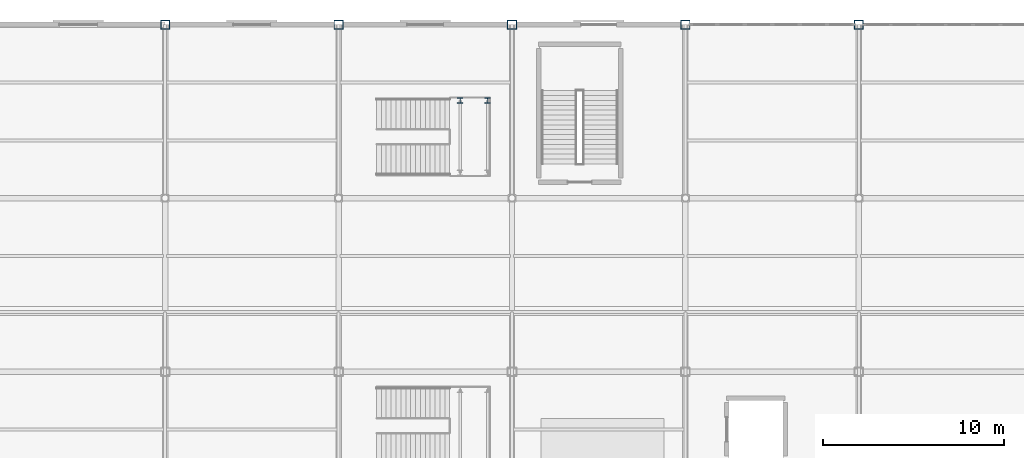
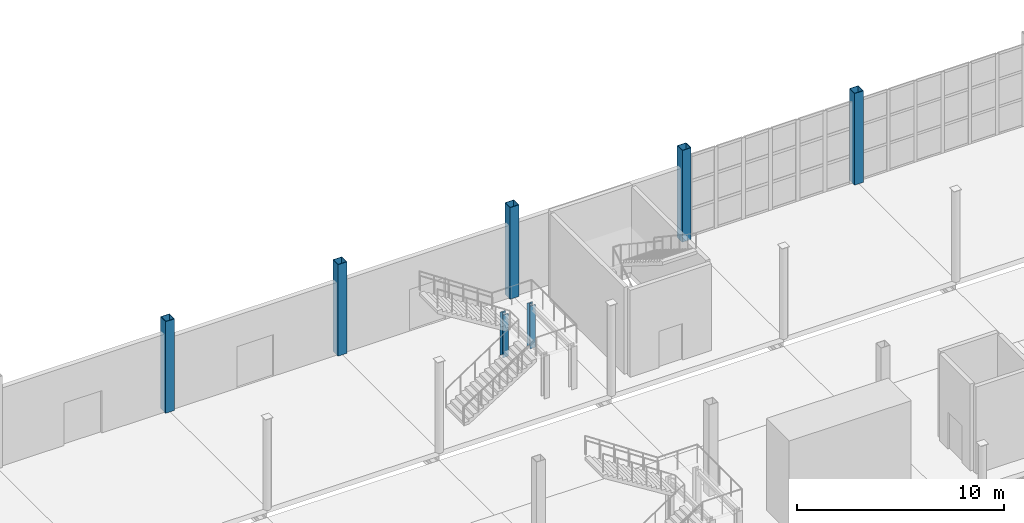
# One storey, part 23 of 85: 7 columns.
"""IFC4 building model written with IfcOpenShell, lengths in metres."""

from ifc_helpers import new_model, si_unit, direction, frame, origin, origin_2d, place, context, subcontext, project, spatial, hollow_rectangle, i_section, extrude, material, material_profile, profile_set, type_object, element, save


model = new_model("IFC4")

# Units and contexts
model_context = context("Model", 3, precision=1e-05, world=origin(), true_north=direction((0.0, 1.0)))
body_context = subcontext(model_context, "Body", "Model", "MODEL_VIEW")
ifc_project = project(units=[si_unit("LENGTHUNIT", "METRE"), si_unit("AREAUNIT", "SQUARE_METRE"), si_unit("VOLUMEUNIT", "CUBIC_METRE"), si_unit("PLANEANGLEUNIT", "RADIAN"), si_unit("MASSUNIT", "GRAM", prefix="KILO")], contexts=[model_context])

# Site, building, storey
site_placement = place(None, origin())
site = spatial("IfcSite", under=ifc_project, at=site_placement, CompositionType="ELEMENT")
building_placement = place(site_placement, origin())
building = spatial("IfcBuilding", under=site, at=building_placement, Name="Zarnetskaya Central Station", CompositionType="ELEMENT")
storey_placement = place(building_placement, origin())
storey = spatial("IfcBuildingStorey", under=building, at=storey_placement, Name="L00", CompositionType="ELEMENT", Elevation=0.0)

# Columns
ifc_material = material(Name="Steel S355", Category="steel")
ifc_material_profile_1 = material_profile(ifc_material, hollow_rectangle(XDim=0.5, YDim=0.5, WallThickness=0.02490234375, at=origin_2d()), Name="BOX 500x500x25")
ifc_profile_set_1 = profile_set([ifc_material_profile_1], Name="Steel S355")
column_type_1 = type_object("IfcColumnType", Name="COL-V1-SHED", PredefinedType="COLUMN", material=ifc_profile_set_1)
for number, where, z_axis, x_axis, name in (
    (1, (67.199951171875, 124.800048828125, 0.0), (0.0, 0.0, 1.0), (1.0, 0.0, 0.0), "Column H15 L00"),
    (2, (76.800048828125, 124.800048828125, 0.0), (0.0, 0.0, 1.0), (1.0, 0.0, 0.0), "Column J15 L00"),
    (3, (86.39990234375, 124.800048828125, 0.0), (0.0, 0.0, 1.0), (1.0, 0.0, 0.0), "Column K15 L00"),
    (4, (96.0, 124.800048828125, 0.0), (0.0, 0.0, 1.0), (1.0, 0.0, 0.0), "Column L15 L00"),
    (5, (105.60009765625, 124.800048828125, 0.0), (0.0, 0.0, 1.0), (1.0, 0.0, 0.0), "Column M15 L00"),
):
    element("IfcColumn", number, at=place(storey_placement, frame(where, z_axis=z_axis, x_axis=x_axis)), inside=storey, type_object=column_type_1, Name=name, PredefinedType="COLUMN", context=body_context, shape_type="SweptSolid", body=[
        extrude(hollow_rectangle(XDim=0.5, YDim=0.5, WallThickness=0.02490234375, at=origin_2d()), origin(), (0.0, 0.0, 1.0), 5.39990234375),
    ])
ifc_material_profile_2 = material_profile(ifc_material, i_section(OverallWidth=0.300048828125, OverallDepth=0.300048828125, WebThickness=0.010986328125, FlangeThickness=0.01904296875, FilletRadius=0.027099609375, at=origin_2d()), Name="HEB 300")
ifc_profile_set_2 = profile_set([ifc_material_profile_2], Name="Steel S355")
column_type_2 = type_object("IfcColumnType", Name="COL-V4-INT", PredefinedType="COLUMN", material=ifc_profile_set_2)
for number, where, z_axis, x_axis, name in (
    (6, (83.530029296875, 120.60009765625, 0.0), (0.0, 0.0, 1.0), (1.0, 0.0, 0.0), "Stair ST-P4 half-landing post 12"),
    (7, (85.050048828125, 120.60009765625, 0.0), (0.0, 0.0, 1.0), (1.0, 0.0, 0.0), "Stair ST-P4 half-landing post 22"),
):
    element("IfcColumn", number, at=place(storey_placement, frame(where, z_axis=z_axis, x_axis=x_axis)), inside=storey, type_object=column_type_2, Name=name, PredefinedType="COLUMN", context=body_context, shape_type="SweptSolid", body=[
        extrude(i_section(OverallWidth=0.300048828125, OverallDepth=0.300048828125, WebThickness=0.010986328125, FlangeThickness=0.01904296875, FilletRadius=0.027099609375, at=origin_2d()), origin(), (0.0, 0.0, 1.0), 2.514892578125),
    ])

save(model, "model.ifc")
